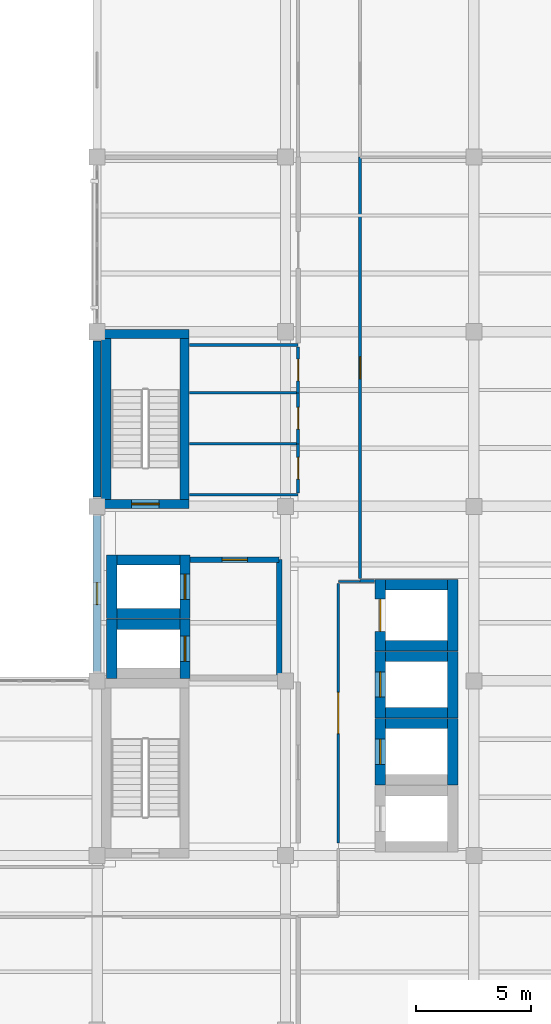
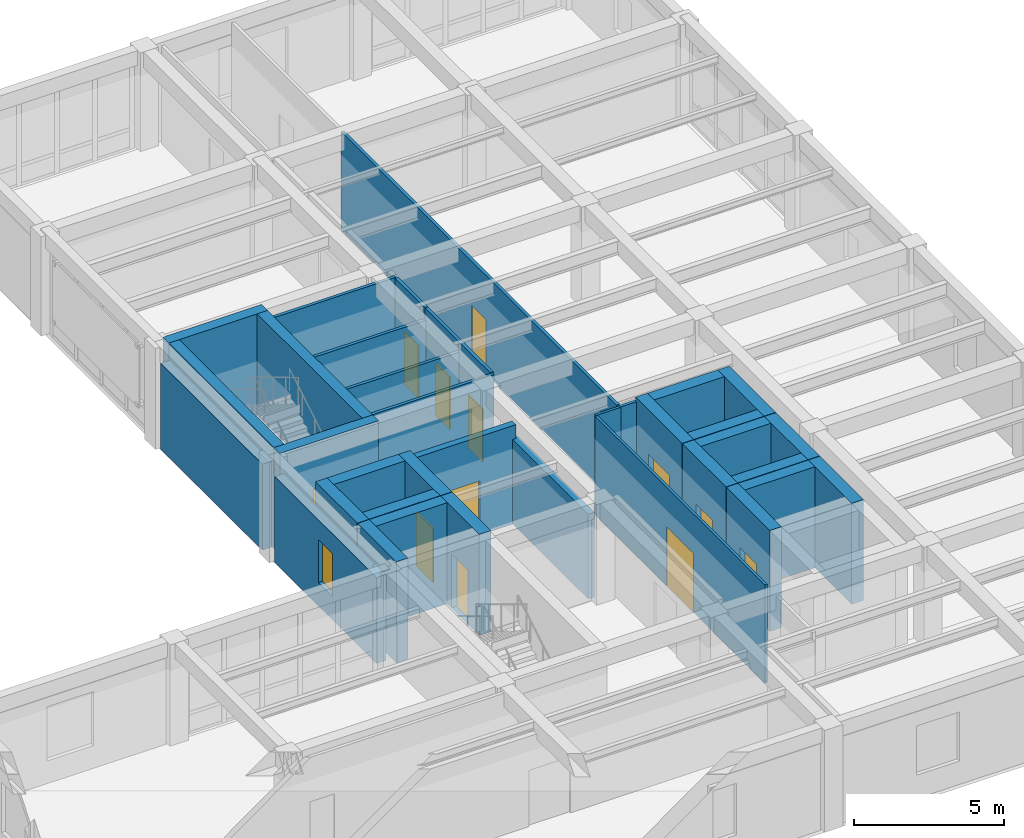
# One storey, part 8 of 13: 37 walls, 12 doors, 1 window, 13 openings.
"""IFC4 building model written with IfcOpenShell, lengths in metres."""

from ifc_helpers import new_model, si_unit, direction, frame, frame_2d, origin, place, context, subcontext, project, spatial, rectangle, extrude, material, layer, layer_set, type_object, element, fill, save


model = new_model("IFC4")

# Units and contexts
model_context = context("Model", 3, precision=1e-05, world=origin(), true_north=direction((0.0, 1.0)))
body_context = subcontext(model_context, "Body", "Model", "MODEL_VIEW")
ifc_project = project(units=[si_unit("LENGTHUNIT", "METRE"), si_unit("AREAUNIT", "SQUARE_METRE"), si_unit("VOLUMEUNIT", "CUBIC_METRE"), si_unit("PLANEANGLEUNIT", "RADIAN"), si_unit("MASSUNIT", "GRAM", prefix="KILO")], contexts=[model_context])

# Site, building, storey
site_placement = place(None, origin())
site = spatial("IfcSite", under=ifc_project, at=site_placement, CompositionType="ELEMENT")
building_placement = place(site_placement, origin())
building = spatial("IfcBuilding", under=site, at=building_placement, Name="Qandaris Square Conservatory and Botanical Centre", CompositionType="ELEMENT")
storey_placement = place(building_placement, frame((0.0, 0.0, 61.800048828125)))
storey = spatial("IfcBuildingStorey", under=building, at=storey_placement, Name="L14", CompositionType="ELEMENT", Elevation=61.800048828125)

# Wall
ifc_material_1 = material(Name="Precast concrete C40/50", Category="concrete")
ifc_layer_1 = layer(ifc_material_1, 0.360107421875)
ifc_layer_set_1 = layer_set([ifc_layer_1], Name="Precast concrete C40/50")
wall_type_1 = type_object("IfcWallType", Name="Architectural Precast Cladding Wall 360mm", PredefinedType="SOLIDWALL", material=ifc_layer_set_1)
wall_1_placement = place(storey_placement, frame((139.199951171875, 46.590087890625, 0.0), z_axis=(0.0, 0.0, 1.0), x_axis=(0.0, -1.0, 0.0)))
element("IfcWall", 1, at=wall_1_placement, inside=storey, type_object=wall_type_1, Name="Exterior Wall EW-TWR-L14-4-3", PredefinedType="SOLIDWALL", context=body_context, shape_type="SweptSolid", body=[
    extrude(rectangle(XDim=6.780029296875, YDim=0.360107421875, at=frame_2d((3.39013671875, 0.0))), origin(), (0.0, 0.0, 1.0), 3.494873046875),
])

# Wall, opening, window
wall_2_placement = place(storey_placement, frame((139.199951171875, 38.989990234375, 0.0), z_axis=(0.0, 0.0, 1.0), x_axis=(0.0, -1.0, 0.0)))
wall_2 = element("IfcWall", 2, at=wall_2_placement, inside=storey, type_object=wall_type_1, Name="Exterior Wall EW-TWR-L14-4-4", PredefinedType="SOLIDWALL", context=body_context, shape_type="SweptSolid", body=[
    extrude(rectangle(XDim=6.780029296875, YDim=0.360107421875, at=frame_2d((3.39013671875, 0.0))), origin(), (0.0, 0.0, 1.0), 3.494873046875),
])
opening_1_placement = place(wall_2_placement, frame((2.9150390625, 0.0, 0.949951171875)))
opening_1 = element("IfcOpeningElement", 3, at=opening_1_placement, cuts=wall_2, Name="Opening WN-15", PredefinedType="OPENING", context=body_context, shape_type="SweptSolid", body=[
    extrude(rectangle(XDim=0.949951171875, YDim=1.75, at=frame_2d((0.47509765625, 0.875))), frame((0.0, 0.19189453125, 0.0), z_axis=(0.0, -1.0, 0.0), x_axis=(1.0, 0.0, 0.0)), (0.0, 0.0, 1.0), 0.384033203125),
])
ifc_material_2 = material(Name="Tempered Low-E Glass", Category="glass")
window_type = type_object("IfcWindowType", Name="Solar Control Window 950x1750", PartitioningType="SINGLE_PANEL", PredefinedType="WINDOW", material=ifc_material_2)
window_placement = place(opening_1_placement, origin())
window = element("IfcWindow", 4, at=window_placement, inside=storey, type_object=window_type, Name="Window EW-TWR-L14-4-4", OverallHeight=1.75, OverallWidth=0.949951171875, PartitioningType="SINGLE_PANEL", PredefinedType="WINDOW", context=body_context, shape_type="SweptSolid", body=[
    extrude(rectangle(XDim=0.949951171875, YDim=1.75, at=frame_2d((0.47509765625, 0.875))), frame((0.0, 0.030029296875, 0.0), z_axis=(0.0, -1.0, 0.0), x_axis=(1.0, 0.0, 0.0)), (0.0, 0.0, 1.0), 0.06005859375),
])
fill(opening_1, window)

# Wall, opening, door
ifc_material_3 = material(Name="Concrete C40/50", Category="concrete")
ifc_layer_2 = layer(ifc_material_3, 0.25)
ifc_layer_set_2 = layer_set([ifc_layer_2], Name="Concrete C40/50")
wall_type_2 = type_object("IfcWallType", Name="Firefighting Lobby Compartment Wall 250mm", PredefinedType="SOLIDWALL", material=ifc_layer_set_2)
wall_3_placement = place(storey_placement, frame((143.25, 37.074951171875, 0.0), z_axis=(0.0, 0.0, 1.0), x_axis=(1.0, 0.0, 0.0)))
wall_3 = element("IfcWall", 5, at=wall_3_placement, inside=storey, type_object=wall_type_2, Name="Firefighting Lobby Wall North (L14)", PredefinedType="SOLIDWALL", context=body_context, shape_type="SweptSolid", body=[
    extrude(rectangle(XDim=3.875, YDim=0.25, at=frame_2d((1.9375, 0.0))), origin(), (0.0, 0.0, 1.0), 4.0048828125),
])
opening_2_placement = place(wall_3_placement, frame((1.387451171875, 0.0, 0.0)))
opening_2 = element("IfcOpeningElement", 6, at=opening_2_placement, cuts=wall_3, Name="Opening D-FFL", PredefinedType="OPENING", context=body_context, shape_type="SweptSolid", body=[
    extrude(rectangle(XDim=1.10009765625, YDim=2.199951171875, at=frame_2d((0.550048828125, 1.10009765625))), frame((0.0, 0.136962890625, 0.0), z_axis=(0.0, -1.0, 0.0), x_axis=(1.0, 0.0, 0.0)), (0.0, 0.0, 1.0), 0.27392578125),
])
ifc_material_4 = material(Name="Steel S355", Category="steel")
door_type_1 = type_object("IfcDoorType", Name="Firefighting Lobby Smoke-Seal Door 1100x2200", OperationType="NOTDEFINED", PredefinedType="DOOR", material=ifc_material_4)
door_1_placement = place(opening_2_placement, origin())
door_1 = element("IfcDoor", 7, at=door_1_placement, inside=storey, type_object=door_type_1, Name="DR-0405 Firefighting Lobby Door (L14)", OperationType="SINGLE_SWING_LEFT", OverallHeight=2.199951171875, OverallWidth=1.10009765625, PredefinedType="DOOR", context=body_context, shape_type="SweptSolid", body=[
    extrude(rectangle(XDim=1.10009765625, YDim=2.199951171875, at=frame_2d((0.550048828125, 1.10009765625))), frame((0.0, 0.02490234375, 0.0), z_axis=(0.0, -1.0, 0.0), x_axis=(1.0, 0.0, 0.0)), (0.0, 0.0, 1.0), 0.050048828125),
])
fill(opening_2, door_1)

# Wall
wall_4_placement = place(storey_placement, frame((147.125, 31.925048828125, 0.0), z_axis=(0.0, 0.0, 1.0), x_axis=(0.0, 1.0, 0.0)))
element("IfcWall", 8, at=wall_4_placement, inside=storey, type_object=wall_type_2, Name="Firefighting Lobby Wall East (L14)", PredefinedType="SOLIDWALL", context=body_context, shape_type="SweptSolid", body=[
    extrude(rectangle(XDim=5.14990234375, YDim=0.25, at=frame_2d((2.574951171875, 0.0))), origin(), (0.0, 0.0, 1.0), 3.445068359375),
])

# Wall, opening, door
ifc_layer_3 = layer(ifc_material_2, 0.10009765625)
ifc_layer_set_3 = layer_set([ifc_layer_3], Name="Tempered Low-E Glass")
wall_type_3 = type_object("IfcWallType", Name="Framed Acoustic Glazed Gallery Screen 100mm", PredefinedType="PARTITIONING", material=ifc_layer_set_3)
wall_5_placement = place(storey_placement, frame((149.699951171875, 24.75, 0.0), z_axis=(0.0, 0.0, 1.0), x_axis=(0.0, 1.0, 0.0)))
wall_5 = element("IfcWall", 9, at=wall_5_placement, inside=storey, type_object=wall_type_3, Name="Interior Partition IW-L14-0441", PredefinedType="PARTITIONING", context=body_context, shape_type="SweptSolid", body=[
    extrude(rectangle(XDim=11.300048828125, YDim=0.10009765625, at=frame_2d((5.64990234375, 0.0))), origin(), (0.0, 0.0, 1.0), 4.0048828125),
])
opening_3_placement = place(wall_5_placement, frame((4.75, 0.0, 0.0)))
opening_3 = element("IfcOpeningElement", 10, at=opening_3_placement, cuts=wall_5, Name="Opening D-GL1", PredefinedType="OPENING", context=body_context, shape_type="SweptSolid", body=[
    extrude(rectangle(XDim=1.800048828125, YDim=2.39990234375, at=frame_2d((0.89990234375, 1.199951171875))), frame((0.0, 0.06201171875, 0.0), z_axis=(0.0, -1.0, 0.0), x_axis=(1.0, 0.0, 0.0)), (0.0, 0.0, 1.0), 0.1240234375),
])
ifc_material_5 = material(Name="Anodised Aluminium", Category="aluminium")
door_type_2 = type_object("IfcDoorType", Name="Visitor Gallery Glazed Double Door 1800x2400", OperationType="DOUBLE_DOOR_SINGLE_SWING", PredefinedType="DOOR", material=ifc_material_5)
door_2_placement = place(opening_3_placement, frame((1.800048828125, 0.0, 0.0), z_axis=(0.0, 0.0, 1.0), x_axis=(-1.0, 0.0, 0.0)))
door_2 = element("IfcDoor", 11, at=door_2_placement, inside=storey, type_object=door_type_2, Name="DR-0406 Main Circulation Corridor L14 Door", OperationType="DOUBLE_DOOR_SINGLE_SWING", OverallHeight=2.39990234375, OverallWidth=1.800048828125, PredefinedType="DOOR", context=body_context, shape_type="SweptSolid", body=[
    extrude(rectangle(XDim=1.800048828125, YDim=2.39990234375, at=frame_2d((0.89990234375, 1.199951171875))), frame((0.0, 0.02490234375, 0.0), z_axis=(0.0, -1.0, 0.0), x_axis=(1.0, 0.0, 0.0)), (0.0, 0.0, 1.0), 0.050048828125),
])
fill(opening_3, door_2)

# Walls
wall_6_placement = place(storey_placement, frame((149.699951171875, 36.125, 0.0), z_axis=(0.0, 0.0, 1.0), x_axis=(1.0, 0.0, 0.0)))
element("IfcWall", 12, at=wall_6_placement, inside=storey, type_object=wall_type_3, Name="Interior Partition IW-L14-0442", PredefinedType="PARTITIONING", context=body_context, shape_type="SweptSolid", body=[
    extrude(rectangle(XDim=0.949951171875, YDim=0.10009765625, at=frame_2d((0.47509765625, 0.0))), origin(), (0.0, 0.0, 1.0), 4.0048828125),
])
ifc_material_6 = material(Name="Concrete C50/60", Category="concrete")
ifc_layer_4 = layer(ifc_material_6, 0.449951171875)
ifc_layer_set_4 = layer_set([ifc_layer_4], Name="Concrete C50/60")
wall_type_4 = type_object("IfcWallType", Name="RC Coupled Core Shear Wall 450mm", PredefinedType="SHEAR", material=ifc_layer_set_4)
wall_7_placement = place(storey_placement, frame((140.06005859375, 34.264892578125, 0.0), z_axis=(0.0, 0.0, 1.0), x_axis=(1.0, 0.0, 0.0)))
element("IfcWall", 13, at=wall_7_placement, inside=storey, type_object=wall_type_4, Name="Lift FFL1 Shaft Wall North (L14)", PredefinedType="SHEAR", context=body_context, shape_type="SweptSolid", body=[
    extrude(rectangle(XDim=2.739990234375, YDim=0.449951171875, at=frame_2d((1.3701171875, 0.0))), origin(), (0.0, 0.0, 1.0), 4.10986328125),
])
wall_8_placement = place(storey_placement, frame((139.8349609375, 31.909912109375, 0.0), z_axis=(0.0, 0.0, 1.0), x_axis=(0.0, 1.0, 0.0)))
element("IfcWall", 14, at=wall_8_placement, inside=storey, type_object=wall_type_4, Name="Lift FFL1 Shaft Wall West (L14)", PredefinedType="SHEAR", context=body_context, shape_type="SweptSolid", body=[
    extrude(rectangle(XDim=2.580078125, YDim=0.449951171875, at=frame_2d((1.2900390625, 0.0))), origin(), (0.0, 0.0, 1.0), 4.10986328125),
])

# Wall, opening, door
wall_9_placement = place(storey_placement, frame((143.02490234375, 31.909912109375, 0.0), z_axis=(0.0, 0.0, 1.0), x_axis=(0.0, 1.0, 0.0)))
wall_9 = element("IfcWall", 15, at=wall_9_placement, inside=storey, type_object=wall_type_4, Name="Lift FFL1 Shaft Wall East (L14)", PredefinedType="SHEAR", context=body_context, shape_type="SweptSolid", body=[
    extrude(rectangle(XDim=2.580078125, YDim=0.449951171875, at=frame_2d((1.2900390625, 0.0))), origin(), (0.0, 0.0, 1.0), 4.10986328125),
])
opening_4_placement = place(wall_9_placement, frame((0.739990234375, 0.0, 0.0)))
opening_4 = element("IfcOpeningElement", 16, at=opening_4_placement, cuts=wall_9, Name="Opening LD-FFL", PredefinedType="OPENING", context=body_context, shape_type="SweptSolid", body=[
    extrude(rectangle(XDim=1.10009765625, YDim=2.199951171875, at=frame_2d((0.550048828125, 1.10009765625))), frame((0.0, 0.23681640625, 0.0), z_axis=(0.0, -1.0, 0.0), x_axis=(1.0, 0.0, 0.0)), (0.0, 0.0, 1.0), 0.473876953125),
])
door_type_3 = type_object("IfcDoorType", Name="Firefighting Lift Sliding Landing Door 1100x2200", OperationType="DOUBLE_DOOR_SLIDING", PredefinedType="DOOR", material=ifc_material_4)
door_3_placement = place(opening_4_placement, origin())
door_3 = element("IfcDoor", 17, at=door_3_placement, inside=storey, type_object=door_type_3, Name="DR-0421 Lift FFL1 Landing Door (L14)", OperationType="DOUBLE_DOOR_SLIDING", OverallHeight=2.199951171875, OverallWidth=1.10009765625, PredefinedType="DOOR", context=body_context, shape_type="SweptSolid", body=[
    extrude(rectangle(XDim=1.10009765625, YDim=2.199951171875, at=frame_2d((0.550048828125, 1.10009765625))), frame((0.0, 0.02490234375, 0.0), z_axis=(0.0, -1.0, 0.0), x_axis=(1.0, 0.0, 0.0)), (0.0, 0.0, 1.0), 0.050048828125),
])
fill(opening_4, door_3)

# Walls
for number, where, z_axis, x_axis, name in (
    (18, (140.06005859375, 34.735107421875, 0.0), (0.0, 0.0, 1.0), (1.0, 0.0, 0.0), "Lift FFL2 Shaft Wall South (L14)"),
    (19, (140.06005859375, 37.06494140625, 0.0), (0.0, 0.0, 1.0), (1.0, 0.0, 0.0), "Lift FFL2 Shaft Wall North (L14)"),
):
    element("IfcWall", number, at=place(storey_placement, frame(where, z_axis=z_axis, x_axis=x_axis)), inside=storey, type_object=wall_type_4, Name=name, PredefinedType="SHEAR", context=body_context, shape_type="SweptSolid", body=[
        extrude(rectangle(XDim=2.739990234375, YDim=0.449951171875, at=frame_2d((1.3701171875, 0.0))), origin(), (0.0, 0.0, 1.0), 4.10986328125),
    ])
wall_10_placement = place(storey_placement, frame((139.8349609375, 34.510009765625, 0.0), z_axis=(0.0, 0.0, 1.0), x_axis=(0.0, 1.0, 0.0)))
element("IfcWall", 20, at=wall_10_placement, inside=storey, type_object=wall_type_4, Name="Lift FFL2 Shaft Wall West (L14)", PredefinedType="SHEAR", context=body_context, shape_type="SweptSolid", body=[
    extrude(rectangle(XDim=2.780029296875, YDim=0.449951171875, at=frame_2d((1.39013671875, 0.0))), origin(), (0.0, 0.0, 1.0), 4.10986328125),
])

# Wall, opening, door
wall_11_placement = place(storey_placement, frame((143.02490234375, 34.510009765625, 0.0), z_axis=(0.0, 0.0, 1.0), x_axis=(0.0, 1.0, 0.0)))
wall_11 = element("IfcWall", 21, at=wall_11_placement, inside=storey, type_object=wall_type_4, Name="Lift FFL2 Shaft Wall East (L14)", PredefinedType="SHEAR", context=body_context, shape_type="SweptSolid", body=[
    extrude(rectangle(XDim=2.780029296875, YDim=0.449951171875, at=frame_2d((1.39013671875, 0.0))), origin(), (0.0, 0.0, 1.0), 4.10986328125),
])
opening_5_placement = place(wall_11_placement, frame((0.840087890625, 0.0, 0.0)))
opening_5 = element("IfcOpeningElement", 22, at=opening_5_placement, cuts=wall_11, Name="Opening LD-FFL", PredefinedType="OPENING", context=body_context, shape_type="SweptSolid", body=[
    extrude(rectangle(XDim=1.10009765625, YDim=2.199951171875, at=frame_2d((0.550048828125, 1.10009765625))), frame((0.0, 0.23681640625, 0.0), z_axis=(0.0, -1.0, 0.0), x_axis=(1.0, 0.0, 0.0)), (0.0, 0.0, 1.0), 0.473876953125),
])
door_4_placement = place(opening_5_placement, origin())
door_4 = element("IfcDoor", 23, at=door_4_placement, inside=storey, type_object=door_type_3, Name="DR-0422 Lift FFL2 Landing Door (L14)", OperationType="DOUBLE_DOOR_SLIDING", OverallHeight=2.199951171875, OverallWidth=1.10009765625, PredefinedType="DOOR", context=body_context, shape_type="SweptSolid", body=[
    extrude(rectangle(XDim=1.10009765625, YDim=2.199951171875, at=frame_2d((0.550048828125, 1.10009765625))), frame((0.0, 0.02490234375, 0.0), z_axis=(0.0, -1.0, 0.0), x_axis=(1.0, 0.0, 0.0)), (0.0, 0.0, 1.0), 0.050048828125),
])
fill(opening_5, door_4)

# Wall
wall_12_placement = place(storey_placement, frame((151.75, 29.945068359375, 0.0), z_axis=(0.0, 0.0, 1.0), x_axis=(1.0, 0.0, 0.0)))
element("IfcWall", 24, at=wall_12_placement, inside=storey, type_object=wall_type_4, Name="Lift PL2 Shaft Wall North (L14)", PredefinedType="SHEAR", context=body_context, shape_type="SweptSolid", body=[
    extrude(rectangle(XDim=2.699951171875, YDim=0.449951171875, at=frame_2d((1.35009765625, 0.0))), origin(), (0.0, 0.0, 1.0), 4.10986328125),
])

# Wall, opening, door
wall_13_placement = place(storey_placement, frame((151.52490234375, 27.27001953125, 0.0), z_axis=(0.0, 0.0, 1.0), x_axis=(0.0, 1.0, 0.0)))
wall_13 = element("IfcWall", 25, at=wall_13_placement, inside=storey, type_object=wall_type_4, Name="Lift PL2 Shaft Wall West (L14)", PredefinedType="SHEAR", context=body_context, shape_type="SweptSolid", body=[
    extrude(rectangle(XDim=2.89990234375, YDim=0.449951171875, at=frame_2d((1.449951171875, 0.0))), origin(), (0.0, 0.0, 1.0), 4.10986328125),
])
opening_6_placement = place(wall_13_placement, frame((0.89990234375, 0.0, 0.0)))
opening_6 = element("IfcOpeningElement", 26, at=opening_6_placement, cuts=wall_13, Name="Opening LD-PAX", PredefinedType="OPENING", context=body_context, shape_type="SweptSolid", body=[
    extrude(rectangle(XDim=1.10009765625, YDim=2.199951171875, at=frame_2d((0.550048828125, 1.10009765625))), frame((0.0, 0.23681640625, 0.0), z_axis=(0.0, -1.0, 0.0), x_axis=(1.0, 0.0, 0.0)), (0.0, 0.0, 1.0), 0.473876953125),
])
door_type_4 = type_object("IfcDoorType", Name="Passenger Lift Sliding Landing Door 1100x2200", OperationType="DOUBLE_DOOR_SLIDING", PredefinedType="DOOR", material=ifc_material_5)
door_5_placement = place(opening_6_placement, origin())
door_5 = element("IfcDoor", 27, at=door_5_placement, inside=storey, type_object=door_type_4, Name="DR-0425 Lift PL2 Landing Door (L14)", OperationType="DOUBLE_DOOR_SLIDING", OverallHeight=2.199951171875, OverallWidth=1.10009765625, PredefinedType="DOOR", context=body_context, shape_type="SweptSolid", body=[
    extrude(rectangle(XDim=1.10009765625, YDim=2.199951171875, at=frame_2d((0.550048828125, 1.10009765625))), frame((0.0, 0.02490234375, 0.0), z_axis=(0.0, -1.0, 0.0), x_axis=(1.0, 0.0, 0.0)), (0.0, 0.0, 1.0), 0.050048828125),
])
fill(opening_6, door_5)

# Walls
wall_14_placement = place(storey_placement, frame((154.675048828125, 27.27001953125, 0.0), z_axis=(0.0, 0.0, 1.0), x_axis=(0.0, 1.0, 0.0)))
element("IfcWall", 28, at=wall_14_placement, inside=storey, type_object=wall_type_4, Name="Lift PL2 Shaft Wall East (L14)", PredefinedType="SHEAR", context=body_context, shape_type="SweptSolid", body=[
    extrude(rectangle(XDim=2.89990234375, YDim=0.449951171875, at=frame_2d((1.449951171875, 0.0))), origin(), (0.0, 0.0, 1.0), 4.10986328125),
])
for number, where, z_axis, x_axis, name in (
    (29, (151.75, 30.4150390625, 0.0), (0.0, 0.0, 1.0), (1.0, 0.0, 0.0), "Lift PL3 Shaft Wall South (L14)"),
    (30, (151.75, 32.864990234375, 0.0), (0.0, 0.0, 1.0), (1.0, 0.0, 0.0), "Lift PL3 Shaft Wall North (L14)"),
):
    element("IfcWall", number, at=place(storey_placement, frame(where, z_axis=z_axis, x_axis=x_axis)), inside=storey, type_object=wall_type_4, Name=name, PredefinedType="SHEAR", context=body_context, shape_type="SweptSolid", body=[
        extrude(rectangle(XDim=2.699951171875, YDim=0.449951171875, at=frame_2d((1.35009765625, 0.0))), origin(), (0.0, 0.0, 1.0), 4.10986328125),
    ])

# Wall, opening, door
wall_15_placement = place(storey_placement, frame((151.52490234375, 30.18994140625, 0.0), z_axis=(0.0, 0.0, 1.0), x_axis=(0.0, 1.0, 0.0)))
wall_15 = element("IfcWall", 31, at=wall_15_placement, inside=storey, type_object=wall_type_4, Name="Lift PL3 Shaft Wall West (L14)", PredefinedType="SHEAR", context=body_context, shape_type="SweptSolid", body=[
    extrude(rectangle(XDim=2.900146484375, YDim=0.449951171875, at=frame_2d((1.4501953125, 0.0))), origin(), (0.0, 0.0, 1.0), 4.10986328125),
])
opening_7_placement = place(wall_15_placement, frame((0.89990234375, 0.0, 0.0)))
opening_7 = element("IfcOpeningElement", 32, at=opening_7_placement, cuts=wall_15, Name="Opening LD-PAX", PredefinedType="OPENING", context=body_context, shape_type="SweptSolid", body=[
    extrude(rectangle(XDim=1.10009765625, YDim=2.199951171875, at=frame_2d((0.550048828125, 1.10009765625))), frame((0.0, 0.23681640625, 0.0), z_axis=(0.0, -1.0, 0.0), x_axis=(1.0, 0.0, 0.0)), (0.0, 0.0, 1.0), 0.473876953125),
])
door_6_placement = place(opening_7_placement, origin())
door_6 = element("IfcDoor", 33, at=door_6_placement, inside=storey, type_object=door_type_4, Name="DR-0426 Lift PL3 Landing Door (L14)", OperationType="DOUBLE_DOOR_SLIDING", OverallHeight=2.199951171875, OverallWidth=1.10009765625, PredefinedType="DOOR", context=body_context, shape_type="SweptSolid", body=[
    extrude(rectangle(XDim=1.10009765625, YDim=2.199951171875, at=frame_2d((0.550048828125, 1.10009765625))), frame((0.0, 0.02490234375, 0.0), z_axis=(0.0, -1.0, 0.0), x_axis=(1.0, 0.0, 0.0)), (0.0, 0.0, 1.0), 0.050048828125),
])
fill(opening_7, door_6)

# Walls
wall_16_placement = place(storey_placement, frame((154.675048828125, 30.18994140625, 0.0), z_axis=(0.0, 0.0, 1.0), x_axis=(0.0, 1.0, 0.0)))
element("IfcWall", 34, at=wall_16_placement, inside=storey, type_object=wall_type_4, Name="Lift PL3 Shaft Wall East (L14)", PredefinedType="SHEAR", context=body_context, shape_type="SweptSolid", body=[
    extrude(rectangle(XDim=2.900146484375, YDim=0.449951171875, at=frame_2d((1.4501953125, 0.0))), origin(), (0.0, 0.0, 1.0), 4.10986328125),
])
for number, where, z_axis, x_axis, name in (
    (35, (151.75, 33.3349609375, 0.0), (0.0, 0.0, 1.0), (1.0, 0.0, 0.0), "Lift GL1 Shaft Wall South (L14)"),
    (36, (151.75, 35.985107421875, 0.0), (0.0, 0.0, 1.0), (1.0, 0.0, 0.0), "Lift GL1 Shaft Wall North (L14)"),
):
    element("IfcWall", number, at=place(storey_placement, frame(where, z_axis=z_axis, x_axis=x_axis)), inside=storey, type_object=wall_type_4, Name=name, PredefinedType="SHEAR", context=body_context, shape_type="SweptSolid", body=[
        extrude(rectangle(XDim=2.699951171875, YDim=0.449951171875, at=frame_2d((1.35009765625, 0.0))), origin(), (0.0, 0.0, 1.0), 4.10986328125),
    ])

# Wall, opening, door
wall_17_placement = place(storey_placement, frame((151.52490234375, 33.110107421875, 0.0), z_axis=(0.0, 0.0, 1.0), x_axis=(0.0, 1.0, 0.0)))
wall_17 = element("IfcWall", 37, at=wall_17_placement, inside=storey, type_object=wall_type_4, Name="Lift GL1 Shaft Wall West (L14)", PredefinedType="SHEAR", context=body_context, shape_type="SweptSolid", body=[
    extrude(rectangle(XDim=3.099853515625, YDim=0.449951171875, at=frame_2d((1.5498046875, 0.0))), origin(), (0.0, 0.0, 1.0), 4.10986328125),
])
opening_8_placement = place(wall_17_placement, frame((0.85009765625, 0.0, 0.0)))
opening_8 = element("IfcOpeningElement", 38, at=opening_8_placement, cuts=wall_17, Name="Opening LD-GDS", PredefinedType="OPENING", context=body_context, shape_type="SweptSolid", body=[
    extrude(rectangle(XDim=1.39990234375, YDim=2.300048828125, at=frame_2d((0.699951171875, 1.14990234375))), frame((0.0, 0.23681640625, 0.0), z_axis=(0.0, -1.0, 0.0), x_axis=(1.0, 0.0, 0.0)), (0.0, 0.0, 1.0), 0.473876953125),
])
door_type_5 = type_object("IfcDoorType", Name="Goods & Herbarium Lift Sliding Landing Door 1400x2300", OperationType="DOUBLE_DOOR_SLIDING", PredefinedType="DOOR", material=ifc_material_4)
door_7_placement = place(opening_8_placement, origin())
door_7 = element("IfcDoor", 39, at=door_7_placement, inside=storey, type_object=door_type_5, Name="DR-0423 Lift GL1 Landing Door (L14)", OperationType="DOUBLE_DOOR_SLIDING", OverallHeight=2.300048828125, OverallWidth=1.39990234375, PredefinedType="DOOR", context=body_context, shape_type="SweptSolid", body=[
    extrude(rectangle(XDim=1.39990234375, YDim=2.300048828125, at=frame_2d((0.699951171875, 1.14990234375))), frame((0.0, 0.02490234375, 0.0), z_axis=(0.0, -1.0, 0.0), x_axis=(1.0, 0.0, 0.0)), (0.0, 0.0, 1.0), 0.050048828125),
])
fill(opening_8, door_7)

# Wall
wall_18_placement = place(storey_placement, frame((154.675048828125, 33.110107421875, 0.0), z_axis=(0.0, 0.0, 1.0), x_axis=(0.0, 1.0, 0.0)))
element("IfcWall", 40, at=wall_18_placement, inside=storey, type_object=wall_type_4, Name="Lift GL1 Shaft Wall East (L14)", PredefinedType="SHEAR", context=body_context, shape_type="SweptSolid", body=[
    extrude(rectangle(XDim=3.099853515625, YDim=0.449951171875, at=frame_2d((1.5498046875, 0.0))), origin(), (0.0, 0.0, 1.0), 4.10986328125),
])

# Wall, opening, door
ifc_layer_5 = layer(ifc_material_6, 0.39990234375)
ifc_layer_set_5 = layer_set([ifc_layer_5], Name="Concrete C50/60")
wall_type_5 = type_object("IfcWallType", Name="RC Stair Core Shear Wall 400mm", PredefinedType="SHEAR", material=ifc_layer_set_5)
wall_19_placement = place(storey_placement, frame((139.39990234375, 39.5, 0.0), z_axis=(0.0, 0.0, 1.0), x_axis=(1.0, 0.0, 0.0)))
wall_19 = element("IfcWall", 41, at=wall_19_placement, inside=storey, type_object=wall_type_5, Name="ST-2 Core Shear Wall South (L14)", PredefinedType="SHEAR", context=body_context, shape_type="SweptSolid", body=[
    extrude(rectangle(XDim=3.800048828125, YDim=0.39990234375, at=frame_2d((1.89990234375, 0.0))), origin(), (0.0, 0.0, 1.0), 4.10986328125),
])
opening_9_placement = place(wall_19_placement, frame((1.300048828125, 0.0, 0.0)))
opening_9 = element("IfcOpeningElement", 42, at=opening_9_placement, cuts=wall_19, Name="Opening D-ST1", PredefinedType="OPENING", context=body_context, shape_type="SweptSolid", body=[
    extrude(rectangle(XDim=1.199951171875, YDim=2.199951171875, at=frame_2d((0.60009765625, 1.10009765625))), frame((0.0, 0.2119140625, 0.0), z_axis=(0.0, -1.0, 0.0), x_axis=(1.0, 0.0, 0.0)), (0.0, 0.0, 1.0), 0.423828125),
])
door_type_6 = type_object("IfcDoorType", Name="Exit Stair Core Fire Door 1200x2200", OperationType="NOTDEFINED", PredefinedType="DOOR", material=ifc_material_4)
door_8_placement = place(opening_9_placement, origin())
door_8 = element("IfcDoor", 43, at=door_8_placement, inside=storey, type_object=door_type_6, Name="DR-0417 ST-2 Stair Core Door (L14)", OperationType="SINGLE_SWING_RIGHT", OverallHeight=2.199951171875, OverallWidth=1.199951171875, PredefinedType="DOOR", context=body_context, shape_type="SweptSolid", body=[
    extrude(rectangle(XDim=1.199951171875, YDim=2.199951171875, at=frame_2d((0.60009765625, 1.10009765625))), frame((0.0, 0.02490234375, 0.0), z_axis=(0.0, -1.0, 0.0), x_axis=(1.0, 0.0, 0.0)), (0.0, 0.0, 1.0), 0.050048828125),
])
fill(opening_9, door_8)

# Walls
wall_20_placement = place(storey_placement, frame((139.39990234375, 46.89990234375, 0.0), z_axis=(0.0, 0.0, 1.0), x_axis=(1.0, 0.0, 0.0)))
element("IfcWall", 44, at=wall_20_placement, inside=storey, type_object=wall_type_5, Name="ST-2 Core Shear Wall North (L14)", PredefinedType="SHEAR", context=body_context, shape_type="SweptSolid", body=[
    extrude(rectangle(XDim=3.800048828125, YDim=0.39990234375, at=frame_2d((1.89990234375, 0.0))), origin(), (0.0, 0.0, 1.0), 4.10986328125),
])
for number, where, z_axis, x_axis, name in (
    (45, (139.60009765625, 39.699951171875, 0.0), (0.0, 0.0, 1.0), (0.0, 1.0, 0.0), "ST-2 Core Shear Wall West (L14)"),
    (46, (143.0, 39.699951171875, 0.0), (0.0, 0.0, 1.0), (0.0, 1.0, 0.0), "ST-2 Core Shear Wall East (L14)"),
):
    element("IfcWall", number, at=place(storey_placement, frame(where, z_axis=z_axis, x_axis=x_axis)), inside=storey, type_object=wall_type_5, Name=name, PredefinedType="SHEAR", context=body_context, shape_type="SweptSolid", body=[
        extrude(rectangle(XDim=7.0, YDim=0.39990234375, at=frame_2d((3.5, 0.0))), origin(), (0.0, 0.0, 1.0), 4.10986328125),
    ])
ifc_material_7 = material(Name="Gypsum Plasterboard", Category="gypsum")
ifc_layer_6 = layer(ifc_material_7, 0.1201171875)
ifc_layer_set_6 = layer_set([ifc_layer_6], Name="Gypsum Plasterboard")
wall_type_6 = type_object("IfcWallType", Name="Standard Research Partition 120mm", PredefinedType="PARTITIONING", material=ifc_layer_set_6)
for number, where, z_axis, x_axis, name in (
    (47, (143.22998046875, 39.89990234375, 0.0), (0.0, 0.0, 1.0), (1.0, 0.0, 0.0), "Sanitary Toilet Partition Wall WCW-L14-SOUTH1"),
    (48, (143.22998046875, 46.419921875, 0.0), (0.0, 0.0, 1.0), (1.0, 0.0, 0.0), "Sanitary Toilet Partition Wall WCW-L14-NORTH1"),
):
    element("IfcWall", number, at=place(storey_placement, frame(where, z_axis=z_axis, x_axis=x_axis)), inside=storey, type_object=wall_type_6, Name=name, PredefinedType="PARTITIONING", context=body_context, shape_type="SweptSolid", body=[
        extrude(rectangle(XDim=4.719970703125, YDim=0.1201171875, at=frame_2d((2.35986328125, 0.0))), origin(), (0.0, 0.0, 1.0), 4.0048828125),
    ])
wall_21_placement = place(storey_placement, frame((150.64990234375, 36.14990234375, 0.0), z_axis=(0.0, 0.0, 1.0), x_axis=(1.0, 0.0, 0.0)))
element("IfcWall", 49, at=wall_21_placement, inside=storey, type_object=wall_type_6, Name="Interior Partition IW-L14-0443", PredefinedType="PARTITIONING", context=body_context, shape_type="SweptSolid", body=[
    extrude(rectangle(XDim=0.6201171875, YDim=0.1201171875, at=frame_2d((0.31005859375, 0.0))), origin(), (0.0, 0.0, 1.0), 4.0048828125),
])
wall_22_placement = place(storey_placement, frame((143.22998046875, 42.1201171875, 0.0), z_axis=(0.0, 0.0, 1.0), x_axis=(1.0, 0.0, 0.0)))
element("IfcWall", 50, at=wall_22_placement, inside=storey, type_object=wall_type_6, Name="Interior Partition IW-L14-0444", PredefinedType="PARTITIONING", context=body_context, shape_type="SweptSolid", body=[
    extrude(rectangle(XDim=4.719970703125, YDim=0.1201171875, at=frame_2d((2.35986328125, 0.0))), origin(), (0.0, 0.0, 1.0), 3.5849609375),
])

# Wall, opening, door
wall_23_placement = place(storey_placement, frame((147.949951171875, 42.1201171875, 0.0), z_axis=(0.0, 0.0, 1.0), x_axis=(0.0, -1.0, 0.0)))
wall_23 = element("IfcWall", 51, at=wall_23_placement, inside=storey, type_object=wall_type_6, Name="Interior Partition IW-L14-0445", PredefinedType="PARTITIONING", context=body_context, shape_type="SweptSolid", body=[
    extrude(rectangle(XDim=2.130126953125, YDim=0.1201171875, at=frame_2d((1.06494140625, 0.0))), origin(), (0.0, 0.0, 1.0), 4.0048828125),
])
opening_10_placement = place(wall_23_placement, frame((0.590087890625, 0.0, 0.0)))
opening_10 = element("IfcOpeningElement", 52, at=opening_10_placement, cuts=wall_23, Name="Opening D-WC1", PredefinedType="OPENING", context=body_context, shape_type="SweptSolid", body=[
    extrude(rectangle(XDim=0.949951171875, YDim=2.14990234375, at=frame_2d((0.47509765625, 1.074951171875))), frame((0.0, 0.072021484375, 0.0), z_axis=(0.0, -1.0, 0.0), x_axis=(1.0, 0.0, 0.0)), (0.0, 0.0, 1.0), 0.14404296875),
])
ifc_material_8 = material(Name="Engineered Oak Timber", Category="wood")
door_type_7 = type_object("IfcDoorType", Name="Accessible Sanitary Room Door 950x2150", OperationType="NOTDEFINED", PredefinedType="DOOR", material=ifc_material_8)
door_9_placement = place(opening_10_placement, origin())
door_9 = element("IfcDoor", 53, at=door_9_placement, inside=storey, type_object=door_type_7, Name="DR-0418 Accessible Toilet L14 Door", OperationType="SINGLE_SWING_RIGHT", OverallHeight=2.14990234375, OverallWidth=0.949951171875, PredefinedType="DOOR", context=body_context, shape_type="SweptSolid", body=[
    extrude(rectangle(XDim=0.949951171875, YDim=2.14990234375, at=frame_2d((0.47509765625, 1.074951171875))), frame((0.0, 0.02490234375, 0.0), z_axis=(0.0, -1.0, 0.0), x_axis=(1.0, 0.0, 0.0)), (0.0, 0.0, 1.0), 0.050048828125),
])
fill(opening_10, door_9)

# Wall
wall_24_placement = place(storey_placement, frame((143.22998046875, 44.340087890625, 0.0), z_axis=(0.0, 0.0, 1.0), x_axis=(1.0, 0.0, 0.0)))
element("IfcWall", 54, at=wall_24_placement, inside=storey, type_object=wall_type_6, Name="Interior Partition IW-L14-0446", PredefinedType="PARTITIONING", context=body_context, shape_type="SweptSolid", body=[
    extrude(rectangle(XDim=4.719970703125, YDim=0.1201171875, at=frame_2d((2.35986328125, 0.0))), origin(), (0.0, 0.0, 1.0), 3.534912109375),
])

# Wall, opening, door
wall_25_placement = place(storey_placement, frame((147.949951171875, 44.340087890625, 0.0), z_axis=(0.0, 0.0, 1.0), x_axis=(0.0, -1.0, 0.0)))
wall_25 = element("IfcWall", 55, at=wall_25_placement, inside=storey, type_object=wall_type_6, Name="Interior Partition IW-L14-0447", PredefinedType="PARTITIONING", context=body_context, shape_type="SweptSolid", body=[
    extrude(rectangle(XDim=2.219970703125, YDim=0.1201171875, at=frame_2d((1.10986328125, 0.0))), origin(), (0.0, 0.0, 1.0), 4.0048828125),
])
opening_11_placement = place(wall_25_placement, frame((0.635009765625, 0.0, 0.0)))
opening_11 = element("IfcOpeningElement", 56, at=opening_11_placement, cuts=wall_25, Name="Opening D-WC1", PredefinedType="OPENING", context=body_context, shape_type="SweptSolid", body=[
    extrude(rectangle(XDim=0.949951171875, YDim=2.14990234375, at=frame_2d((0.47509765625, 1.074951171875))), frame((0.0, 0.072021484375, 0.0), z_axis=(0.0, -1.0, 0.0), x_axis=(1.0, 0.0, 0.0)), (0.0, 0.0, 1.0), 0.14404296875),
])
door_10_placement = place(opening_11_placement, origin())
door_10 = element("IfcDoor", 57, at=door_10_placement, inside=storey, type_object=door_type_7, Name="DR-0419 Staff Male Toilet L14 Door", OperationType="SINGLE_SWING_LEFT", OverallHeight=2.14990234375, OverallWidth=0.949951171875, PredefinedType="DOOR", context=body_context, shape_type="SweptSolid", body=[
    extrude(rectangle(XDim=0.949951171875, YDim=2.14990234375, at=frame_2d((0.47509765625, 1.074951171875))), frame((0.0, 0.02490234375, 0.0), z_axis=(0.0, -1.0, 0.0), x_axis=(1.0, 0.0, 0.0)), (0.0, 0.0, 1.0), 0.050048828125),
])
fill(opening_11, door_10)

wall_26_placement = place(storey_placement, frame((147.949951171875, 46.330078125, 0.0), z_axis=(0.0, 0.0, 1.0), x_axis=(0.0, -1.0, 0.0)))
wall_26 = element("IfcWall", 58, at=wall_26_placement, inside=storey, type_object=wall_type_6, Name="Interior Partition IW-L14-0448", PredefinedType="PARTITIONING", context=body_context, shape_type="SweptSolid", body=[
    extrude(rectangle(XDim=1.989990234375, YDim=0.1201171875, at=frame_2d((0.9951171875, 0.0))), origin(), (0.0, 0.0, 1.0), 4.0048828125),
])
opening_12_placement = place(wall_26_placement, frame((0.52001953125, 0.0, 0.0)))
opening_12 = element("IfcOpeningElement", 59, at=opening_12_placement, cuts=wall_26, Name="Opening D-WC1", PredefinedType="OPENING", context=body_context, shape_type="SweptSolid", body=[
    extrude(rectangle(XDim=0.949951171875, YDim=2.14990234375, at=frame_2d((0.47509765625, 1.074951171875))), frame((0.0, 0.072021484375, 0.0), z_axis=(0.0, -1.0, 0.0), x_axis=(1.0, 0.0, 0.0)), (0.0, 0.0, 1.0), 0.14404296875),
])
door_11_placement = place(opening_12_placement, frame((0.949951171875, 0.0, 0.0), z_axis=(0.0, 0.0, 1.0), x_axis=(-1.0, 0.0, 0.0)))
door_11 = element("IfcDoor", 60, at=door_11_placement, inside=storey, type_object=door_type_7, Name="DR-0420 Staff Female Toilet L14 Door", OperationType="SINGLE_SWING_RIGHT", OverallHeight=2.14990234375, OverallWidth=0.949951171875, PredefinedType="DOOR", context=body_context, shape_type="SweptSolid", body=[
    extrude(rectangle(XDim=0.949951171875, YDim=2.14990234375, at=frame_2d((0.47509765625, 1.074951171875))), frame((0.0, 0.02490234375, 0.0), z_axis=(0.0, -1.0, 0.0), x_axis=(1.0, 0.0, 0.0)), (0.0, 0.0, 1.0), 0.050048828125),
])
fill(opening_12, door_11)

wall_27_placement = place(storey_placement, frame((150.64990234375, 54.60009765625, 0.0), z_axis=(0.0, 0.0, 1.0), x_axis=(0.0, -1.0, 0.0)))
wall_27 = element("IfcWall", 61, at=wall_27_placement, inside=storey, type_object=wall_type_6, Name="Interior Partition IW-L14-0454", PredefinedType="PARTITIONING", context=body_context, shape_type="SweptSolid", body=[
    extrude(rectangle(XDim=18.35009765625, YDim=0.1201171875, at=frame_2d((9.175048828125, 0.0))), origin(), (0.0, 0.0, 1.0), 4.0048828125),
])
opening_13_placement = place(wall_27_placement, frame((8.699951171875, 0.0, 0.0)))
opening_13 = element("IfcOpeningElement", 62, at=opening_13_placement, cuts=wall_27, Name="Opening D-OFF1", PredefinedType="OPENING", context=body_context, shape_type="SweptSolid", body=[
    extrude(rectangle(XDim=0.949951171875, YDim=2.199951171875, at=frame_2d((0.47509765625, 1.10009765625))), frame((0.0, 0.072021484375, 0.0), z_axis=(0.0, -1.0, 0.0), x_axis=(1.0, 0.0, 0.0)), (0.0, 0.0, 1.0), 0.14404296875),
])
door_type_8 = type_object("IfcDoorType", Name="Research Office Acoustic Door 950x2200", OperationType="NOTDEFINED", PredefinedType="DOOR", material=ifc_material_8)
door_12_placement = place(opening_13_placement, frame((0.949951171875, 0.0, 0.0), z_axis=(0.0, 0.0, 1.0), x_axis=(-1.0, 0.0, 0.0)))
door_12 = element("IfcDoor", 63, at=door_12_placement, inside=storey, type_object=door_type_8, Name="DR-0411 Botanical Policy Analytical Laboratory Door", OperationType="SINGLE_SWING_LEFT", OverallHeight=2.199951171875, OverallWidth=0.949951171875, PredefinedType="DOOR", context=body_context, shape_type="SweptSolid", body=[
    extrude(rectangle(XDim=0.949951171875, YDim=2.199951171875, at=frame_2d((0.47509765625, 1.10009765625))), frame((0.0, 0.02490234375, 0.0), z_axis=(0.0, -1.0, 0.0), x_axis=(1.0, 0.0, 0.0)), (0.0, 0.0, 1.0), 0.050048828125),
])
fill(opening_13, door_12)

save(model, "model.ifc")
